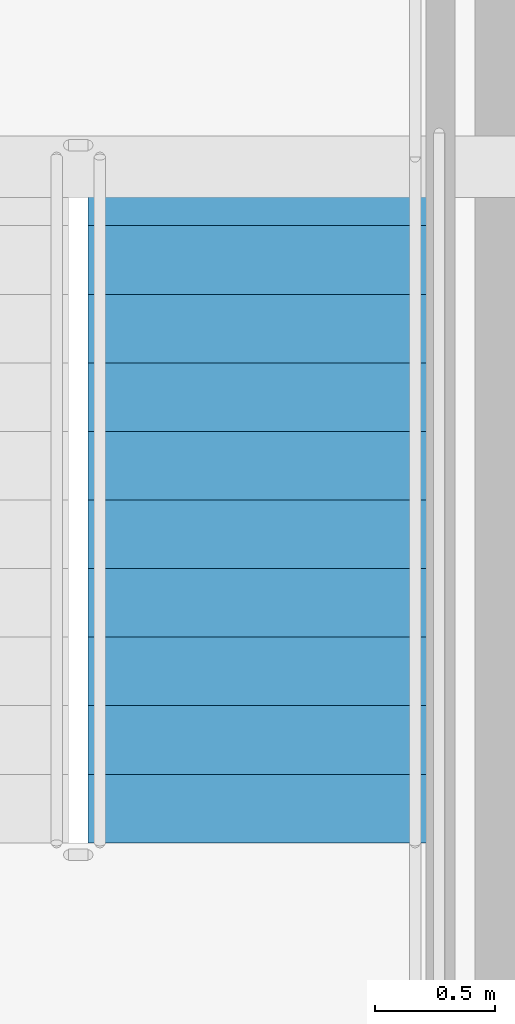
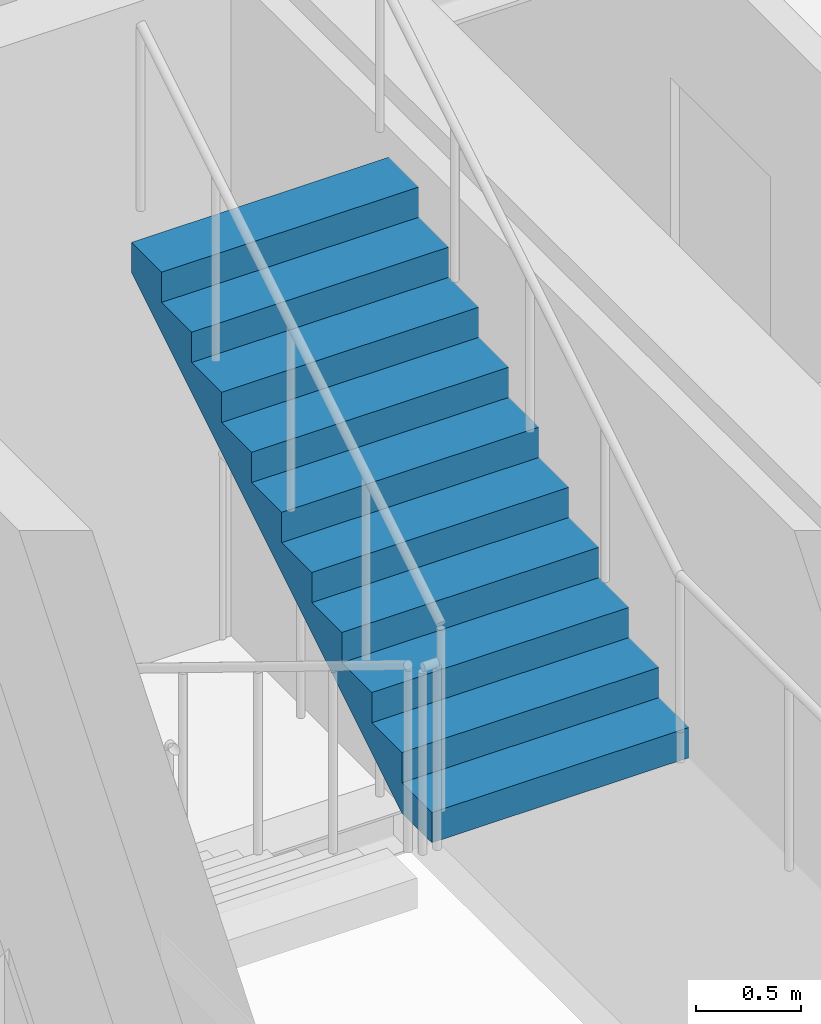
# One storey, part 14 of 17: 1 stair flight, 1 element without a shape of its own.
"""IFC4 building model written with IfcOpenShell, lengths in metres."""

from ifc_helpers import new_model, si_unit, direction, frame, origin, place, context, subcontext, project, spatial, polyline, outline, extrude, material, type_object, element, aggregate, save


model = new_model("IFC4")

# Units and contexts
model_context = context("Model", 3, precision=1e-05, world=origin(), true_north=direction((0.0, 1.0)))
body_context = subcontext(model_context, "Body", "Model", "MODEL_VIEW")
ifc_project = project(units=[si_unit("LENGTHUNIT", "METRE"), si_unit("AREAUNIT", "SQUARE_METRE"), si_unit("VOLUMEUNIT", "CUBIC_METRE"), si_unit("PLANEANGLEUNIT", "RADIAN"), si_unit("MASSUNIT", "GRAM", prefix="KILO")], contexts=[model_context])

# Site, building, storey
site_placement = place(None, origin())
site = spatial("IfcSite", under=ifc_project, at=site_placement, CompositionType="ELEMENT")
building_placement = place(site_placement, origin())
building = spatial("IfcBuilding", under=site, at=building_placement, Name="Bramvorn Convention Spire", CompositionType="ELEMENT")
storey_placement = place(building_placement, frame((0.0, 0.0, 265.14990234375)))
storey = spatial("IfcBuildingStorey", under=building, at=storey_placement, Name="L67", CompositionType="ELEMENT", Elevation=265.14990234375)

# Stair, stair flight
ifc_material_1 = material(Name="Concrete C40/50 Precast Stair", Category="concrete")
stair_type = type_object("IfcStairType", Name="ST-TOWER-1550", PredefinedType="HALF_TURN_STAIR", material=ifc_material_1)
stair_placement = place(storey_placement, origin())
stair = element("IfcStair", 1, at=stair_placement, inside=storey, type_object=stair_type, Name="L67 Protected Exit Stair ST2", PredefinedType="HALF_TURN_STAIR")
ifc_material_2 = material(Name="Concrete C40/50 Precast Stair Flight", Category="concrete")
stair_flight_type = type_object("IfcStairFlightType", Name="STF-TOWER-1550", PredefinedType="STRAIGHT", material=ifc_material_2)
stair_flight_placement = place(storey_placement, frame((47.844970703125, 22.199951171875, 1.925048828125), z_axis=(0.0, 0.0, 1.0), x_axis=(0.0, 1.0, 0.0)))
stair_flight = element("IfcStairFlight", 2, at=stair_flight_placement, type_object=stair_flight_type, Name="ST2 flight 2", NumberOfRisers=11, NumberOfTreads=10, PredefinedType="STRAIGHT", RiserHeight=0.175, TreadLength=0.285, context=body_context, shape_type="SweptSolid", body=[
    extrude(outline(polyline([(0.0, 0.0), (0.0, 0.175048828125), (0.284912109375, 0.175048828125), (0.284912109375, 0.35009765625), (0.570068359375, 0.35009765625), (0.570068359375, 0.52490234375), (0.85498046875, 0.52490234375), (0.85498046875, 0.699951171875), (1.139892578125, 0.699951171875), (1.139892578125, 0.875), (1.425048828125, 0.875), (1.425048828125, 1.050048828125), (1.7099609375, 1.050048828125), (1.7099609375, 1.22509765625), (1.9951171875, 1.22509765625), (1.9951171875, 1.39990234375), (2.280029296875, 1.39990234375), (2.280029296875, 1.574951171875), (2.56494140625, 1.574951171875), (2.56494140625, 1.75), (2.85009765625, 1.75), (2.85009765625, 1.925048828125), (2.85009765625, 1.573974609375), (0.286376953125, 0.0), (0.0, 0.0)])), frame((0.0, 0.705078125, 0.0), z_axis=(0.0, -1.0, 0.0), x_axis=(1.0, 0.0, 0.0)), (0.0, 0.0, 1.0), 1.409912109375),
])
aggregate(stair, [stair_flight])

save(model, "model.ifc")
